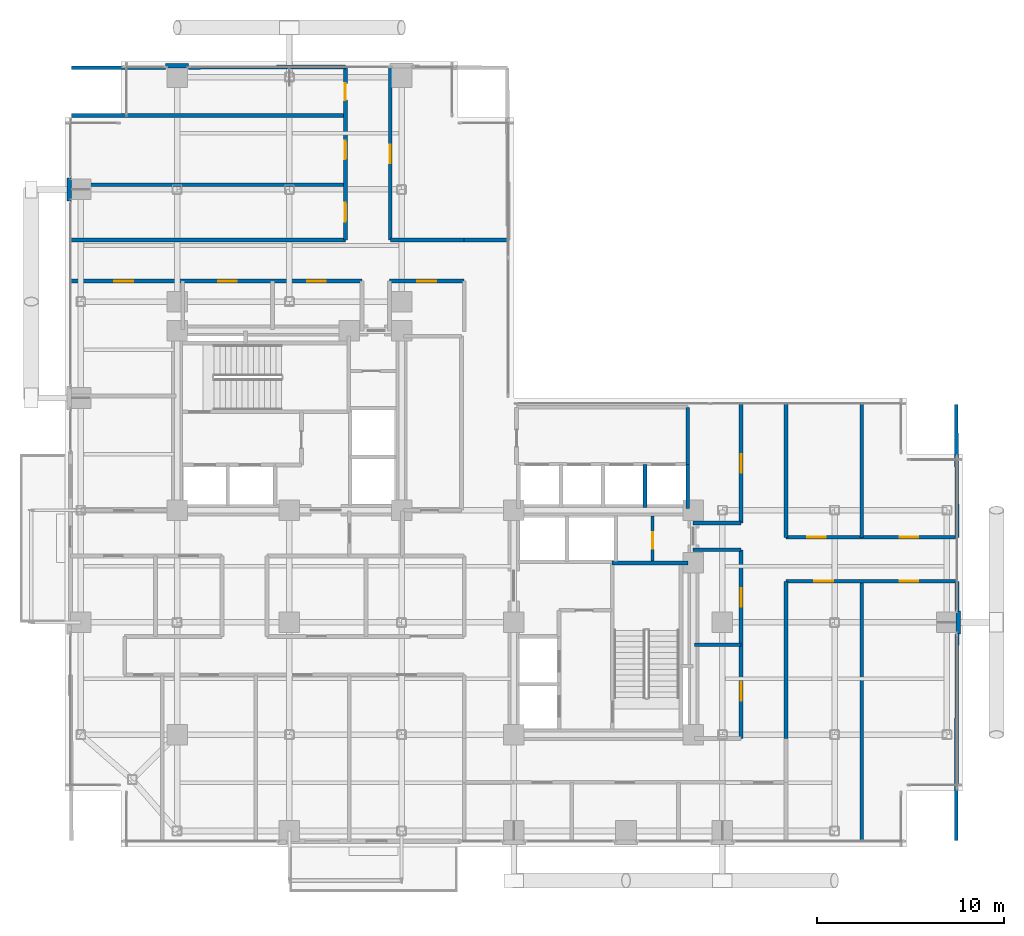
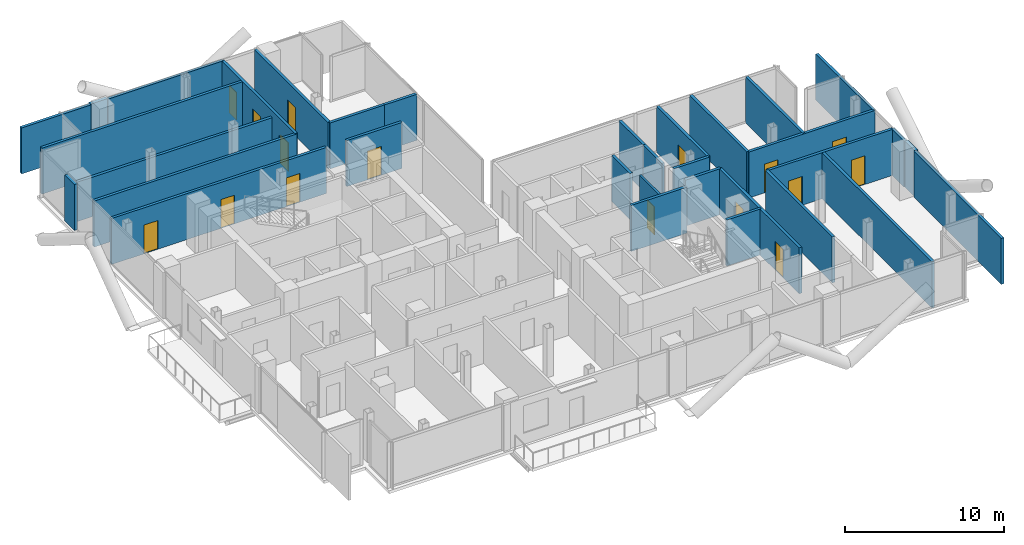
# One storey, part 21 of 24: 33 walls, 16 doors, 16 openings.
"""IFC4 building model written with IfcOpenShell, lengths in metres."""

from ifc_helpers import new_model, si_unit, direction, frame, frame_2d, origin, place, context, subcontext, project, spatial, rectangle, extrude, material, layer, layer_set, type_object, element, fill, save


model = new_model("IFC4")

# Units and contexts
model_context = context("Model", 3, precision=1e-05, world=origin(), true_north=direction((0.0, 1.0)))
body_context = subcontext(model_context, "Body", "Model", "MODEL_VIEW")
ifc_project = project(units=[si_unit("LENGTHUNIT", "METRE"), si_unit("AREAUNIT", "SQUARE_METRE"), si_unit("VOLUMEUNIT", "CUBIC_METRE"), si_unit("PLANEANGLEUNIT", "RADIAN"), si_unit("MASSUNIT", "GRAM", prefix="KILO"), si_unit("THERMODYNAMICTEMPERATUREUNIT", "KELVIN"), si_unit("POWERUNIT", "WATT")], contexts=[model_context])

# Site, building, storey
site_placement = place(None, origin())
site = spatial("IfcSite", under=ifc_project, at=site_placement, CompositionType="ELEMENT")
building_placement = place(site_placement, origin())
building = spatial("IfcBuilding", under=site, at=building_placement, Name="Svarakhadi Broadcast Tower", CompositionType="ELEMENT")
storey_placement = place(building_placement, frame((0.0, 0.0, 115.64990234375)))
storey = spatial("IfcBuildingStorey", under=building, at=storey_placement, Name="L27", CompositionType="ELEMENT", Elevation=115.64990234375)

# Walls
ifc_material_1 = material(Name="Double-Stud Acoustic Studio Partition STC-62", Category="gypsum")
ifc_layer_1 = layer(ifc_material_1, 0.199951171875)
ifc_layer_set_1 = layer_set([ifc_layer_1], Name="Double-Stud Acoustic Studio Partition STC-62")
wall_type_1 = type_object("IfcWallType", Name="Wall_Acoust_200", PredefinedType="PARTITIONING", material=ifc_layer_set_1)
wall_1_placement = place(storey_placement, frame((33.64990234375, 10.800048828125, 0.0), z_axis=(0.0, 0.0, 1.0), x_axis=(1.0, 0.0, 0.0)))
element("IfcWall", 1, at=wall_1_placement, inside=storey, type_object=wall_type_1, Name="L27 Media Playout Monitoring Office Wall", PredefinedType="PARTITIONING", context=body_context, shape_type="SweptSolid", body=[
    extrude(rectangle(XDim=2.5, YDim=0.199951171875, at=frame_2d((1.25, 0.0))), origin(), (0.0, 0.0, 1.0), 3.525146484375),
])
wall_2_placement = place(storey_placement, frame((42.60009765625, 0.300048828125, 0.0), z_axis=(0.0, 0.0, 1.0), x_axis=(0.0, 1.0, 0.0)))
element("IfcWall", 2, at=wall_2_placement, inside=storey, type_object=wall_type_1, Name="L27 Podcast Studio 1 Wall", PredefinedType="PARTITIONING", context=body_context, shape_type="SweptSolid", body=[
    extrude(rectangle(XDim=13.89990234375, YDim=0.199951171875, at=frame_2d((6.949951171875, 0.0))), origin(), (0.0, 0.0, 1.0), 3.525146484375),
])
wall_3_placement = place(storey_placement, frame((47.64990234375, 0.35009765625, 0.0), z_axis=(0.0, 0.0, 1.0), x_axis=(0.003606251025, 0.999993497456, 0.0)))
element("IfcWall", 3, at=wall_3_placement, inside=storey, type_object=wall_type_1, Name="L27 Podcast Studio 2 Wall", PredefinedType="PARTITIONING", context=body_context, shape_type="SweptSolid", body=[
    extrude(rectangle(XDim=11.034912109375, YDim=0.199951171875, at=frame_2d((5.517578125, 0.0))), origin(), (0.0, 0.0, 1.0), 3.525146484375),
])
wall_4_placement = place(storey_placement, frame((47.6943359375, 12.614990234375, 0.0), z_axis=(0.0, 0.0, 1.0), x_axis=(0.003542799701, 0.999993724265, 0.0)))
element("IfcWall", 4, at=wall_4_placement, inside=storey, type_object=wall_type_1, Name="L27 Podcast Studio 2 Wall", PredefinedType="PARTITIONING", context=body_context, shape_type="SweptSolid", body=[
    extrude(rectangle(XDim=1.5849609375, YDim=0.199951171875, at=frame_2d((0.79248046875, 0.0))), origin(), (0.0, 0.0, 1.0), 3.525146484375),
])
wall_5_placement = place(storey_placement, frame((42.60009765625, 16.550048828125, 0.0), z_axis=(0.0, 0.0, 1.0), x_axis=(0.0, 1.0, 0.0)))
element("IfcWall", 5, at=wall_5_placement, inside=storey, type_object=wall_type_1, Name="L27 Broadcast Graphics Room Wall", PredefinedType="PARTITIONING", context=body_context, shape_type="SweptSolid", body=[
    extrude(rectangle(XDim=7.14990234375, YDim=0.199951171875, at=frame_2d((3.574951171875, 0.0))), origin(), (0.0, 0.0, 1.0), 3.525146484375),
])
wall_6_placement = place(storey_placement, frame((47.699951171875, 16.550048828125, 0.0), z_axis=(0.0, 0.0, 1.0), x_axis=(-0.007049101019, 0.999975154779, 0.0)))
element("IfcWall", 6, at=wall_6_placement, inside=storey, type_object=wall_type_1, Name="L27 Graphics Workstation Office Wall", PredefinedType="PARTITIONING", context=body_context, shape_type="SweptSolid", body=[
    extrude(rectangle(XDim=7.10009765625, YDim=0.199951171875, at=frame_2d((3.550048828125, 0.0))), origin(), (0.0, 0.0, 1.0), 3.525146484375),
])
wall_7_placement = place(storey_placement, frame((0.300048828125, 35.39990234375, 0.0), z_axis=(0.0, 0.0, 1.0), x_axis=(1.0, 0.0, 0.0)))
element("IfcWall", 7, at=wall_7_placement, inside=storey, type_object=wall_type_1, Name="L27 Music Composition Studio Wall", PredefinedType="PARTITIONING", context=body_context, shape_type="SweptSolid", body=[
    extrude(rectangle(XDim=14.699951171875, YDim=0.199951171875, at=frame_2d((7.35009765625, 0.0))), origin(), (0.0, 0.0, 1.0), 3.01708984375),
])
wall_8_placement = place(storey_placement, frame((0.35009765625, 39.10009765625, 0.0), z_axis=(0.0, 0.0, 1.0), x_axis=(1.0, 0.0, 0.0)))
element("IfcWall", 8, at=wall_8_placement, inside=storey, type_object=wall_type_1, Name="L27 Sheet Music Library Office Wall", PredefinedType="PARTITIONING", context=body_context, shape_type="SweptSolid", body=[
    extrude(rectangle(XDim=14.64990234375, YDim=0.199951171875, at=frame_2d((7.324951171875, 0.0))), origin(), (0.0, 0.0, 1.0), 3.525146484375),
])
wall_9_placement = place(storey_placement, frame((0.35009765625, 41.64990234375, 0.0), z_axis=(0.0, 0.0, 1.0), x_axis=(0.999994073761, 0.003442737683, 0.0)))
element("IfcWall", 9, at=wall_9_placement, inside=storey, type_object=wall_type_1, Name="L27 Accessible Floor Toilet WC Wall", PredefinedType="PARTITIONING", context=body_context, shape_type="SweptSolid", body=[
    extrude(rectangle(XDim=5.034912109375, YDim=0.199951171875, at=frame_2d((2.517578125, 0.0))), origin(), (0.0, 0.0, 1.0), 3.525146484375),
])
wall_10_placement = place(storey_placement, frame((6.614990234375, 41.67138671875, 0.0), z_axis=(0.0, 0.0, 1.0), x_axis=(0.999994197557, 0.003406589638, 0.0)))
element("IfcWall", 10, at=wall_10_placement, inside=storey, type_object=wall_type_1, Name="L27 Accessible Floor Toilet WC Wall", PredefinedType="PARTITIONING", context=body_context, shape_type="SweptSolid", body=[
    extrude(rectangle(XDim=8.385009765625, YDim=0.199951171875, at=frame_2d((4.1923828125, 0.0))), origin(), (0.0, 0.0, 1.0), 3.525146484375),
])
ifc_material_2 = material(Name="Concrete C40/50 (IS 456 M50)", Category="concrete")
ifc_layer_2 = layer(ifc_material_2, 0.239990234375)
ifc_layer_set_2 = layer_set([ifc_layer_2], Name="Concrete C40/50 (IS 456 M50)")
wall_type_2 = type_object("IfcWallType", Name="Wall_Ext_240", PredefinedType="SOLIDWALL", material=ifc_layer_set_2)
for number, where, z_axis, x_axis, name in (
    (11, (0.239990234375, 34.534912109375, 0.0), (0.0, 0.0, 1.0), (0.0, 1.0, 0.0), "L27 Perimeter Bronze Spandrel Closure Wall 03"),
    (12, (5.385009765625, 41.760009765625, 0.0), (0.0, 0.0, 1.0), (1.0, 0.0, 0.0), "L27 Perimeter Bronze Spandrel Closure Wall 04"),
    (13, (47.760009765625, 12.614990234375, 0.0), (0.0, 0.0, 1.0), (0.0, -1.0, 0.0), "L27 Perimeter Bronze Spandrel Closure Wall 06"),
):
    element("IfcWall", number, at=place(storey_placement, frame(where, z_axis=z_axis, x_axis=x_axis)), inside=storey, type_object=wall_type_2, Name=name, PredefinedType="SOLIDWALL", context=body_context, shape_type="SweptSolid", body=[
        extrude(rectangle(XDim=1.22998046875, YDim=0.239990234375, at=frame_2d((0.614990234375, 0.0))), origin(), (0.0, 0.0, 1.0), 3.525146484375),
    ])

# Wall, opening, door
ifc_layer_3 = layer(ifc_material_2, 0.199951171875)
ifc_layer_set_3 = layer_set([ifc_layer_3], Name="Concrete C40/50 (IS 456 M50)")
wall_type_3 = type_object("IfcWallType", Name="Wall_Fire_200", PredefinedType="SOLIDWALL", material=ifc_layer_set_3)
wall_11_placement = place(storey_placement, frame((21.35009765625, 30.25, 0.0), z_axis=(0.0, 0.0, 1.0), x_axis=(-1.0, 0.0, 0.0)))
wall_11 = element("IfcWall", 14, at=wall_11_placement, inside=storey, type_object=wall_type_3, Name="L27 Zone 2/3 Corridor Wall", PredefinedType="SOLIDWALL", context=body_context, shape_type="SweptSolid", body=[
    extrude(rectangle(XDim=4.0, YDim=0.199951171875, at=frame_2d((2.0, 0.0))), origin(), (0.0, 0.0, 1.0), 3.525146484375),
])
opening_1_placement = place(wall_11_placement, frame((1.5, 0.0, 0.0)))
opening_1 = element("IfcOpeningElement", 15, at=opening_1_placement, cuts=wall_11, Name="Opening D-08", PredefinedType="OPENING", context=body_context, shape_type="SweptSolid", body=[
    extrude(rectangle(XDim=1.0, YDim=2.199951171875, at=frame_2d((0.5, 1.10009765625))), frame((0.0, 0.10986328125, 0.0), z_axis=(0.0, -1.0, 0.0), x_axis=(1.0, 0.0, 0.0)), (0.0, 0.0, 1.0), 0.219970703125),
])
ifc_material_3 = material(Name="Solid-Core Teak Veneer Acoustic Timber Leaf", Category="wood")
door_type_1 = type_object("IfcDoorType", Name="Door_Suite_D08", OperationType="SINGLE_SWING_LEFT", PredefinedType="DOOR", material=ifc_material_3)
door_1_placement = place(opening_1_placement, origin())
door_1 = element("IfcDoor", 16, at=door_1_placement, inside=storey, type_object=door_type_1, Name="L27 Media Continuity Study Door", OperationType="SINGLE_SWING_LEFT", OverallHeight=2.199951171875, OverallWidth=1.0, PredefinedType="DOOR", context=body_context, shape_type="SweptSolid", body=[
    extrude(rectangle(XDim=1.0, YDim=2.199951171875, at=frame_2d((0.5, 1.10009765625))), frame((0.0, 0.02490234375, 0.0), z_axis=(0.0, -1.0, 0.0), x_axis=(1.0, 0.0, 0.0)), (0.0, 0.0, 1.0), 0.050048828125),
])
fill(opening_1, door_1)

# Wall, openings, doors
wall_12_placement = place(storey_placement, frame((15.8798828125, 30.25, 0.0), z_axis=(0.0, 0.0, 1.0), x_axis=(-1.0, 0.0, 0.0)))
wall_12 = element("IfcWall", 17, at=wall_12_placement, inside=storey, type_object=wall_type_3, Name="L27 Zone 2/3 Corridor Wall", PredefinedType="SOLIDWALL", context=body_context, shape_type="SweptSolid", body=[
    extrude(rectangle(XDim=15.579833984375, YDim=0.199951171875, at=frame_2d((7.7900390625, 0.0))), origin(), (0.0, 0.0, 1.0), 3.525146484375),
])
opening_2_placement = place(wall_12_placement, frame((12.22998046875, 0.0, 0.0)))
opening_2 = element("IfcOpeningElement", 18, at=opening_2_placement, cuts=wall_12, Name="Opening D-08", PredefinedType="OPENING", context=body_context, shape_type="SweptSolid", body=[
    extrude(rectangle(XDim=1.0, YDim=2.199951171875, at=frame_2d((0.5, 1.10009765625))), frame((0.0, 0.10986328125, 0.0), z_axis=(0.0, -1.0, 0.0), x_axis=(1.0, 0.0, 0.0)), (0.0, 0.0, 1.0), 0.219970703125),
])
opening_3_placement = place(wall_12_placement, frame((6.679931640625, 0.0, 0.0)))
opening_3 = element("IfcOpeningElement", 19, at=opening_3_placement, cuts=wall_12, Name="Opening D-09", PredefinedType="OPENING", context=body_context, shape_type="SweptSolid", body=[
    extrude(rectangle(XDim=1.0, YDim=2.199951171875, at=frame_2d((0.5, 1.10009765625))), frame((0.0, 0.10986328125, 0.0), z_axis=(0.0, -1.0, 0.0), x_axis=(1.0, 0.0, 0.0)), (0.0, 0.0, 1.0), 0.219970703125),
])
opening_4_placement = place(wall_12_placement, frame((1.929931640625, 0.0, 0.0)))
opening_4 = element("IfcOpeningElement", 20, at=opening_4_placement, cuts=wall_12, Name="Opening D-08", PredefinedType="OPENING", context=body_context, shape_type="SweptSolid", body=[
    extrude(rectangle(XDim=1.0, YDim=2.199951171875, at=frame_2d((0.5, 1.10009765625))), frame((0.0, 0.10986328125, 0.0), z_axis=(0.0, -1.0, 0.0), x_axis=(1.0, 0.0, 0.0)), (0.0, 0.0, 1.0), 0.219970703125),
])
door_2_placement = place(opening_2_placement, origin())
door_2 = element("IfcDoor", 21, at=door_2_placement, inside=storey, type_object=door_type_1, Name="L27 Sunset Horizon Screening Room Door", OperationType="SINGLE_SWING_LEFT", OverallHeight=2.199951171875, OverallWidth=1.0, PredefinedType="DOOR", context=body_context, shape_type="SweptSolid", body=[
    extrude(rectangle(XDim=1.0, YDim=2.199951171875, at=frame_2d((0.5, 1.10009765625))), frame((0.0, 0.02490234375, 0.0), z_axis=(0.0, -1.0, 0.0), x_axis=(1.0, 0.0, 0.0)), (0.0, 0.0, 1.0), 0.050048828125),
])
fill(opening_2, door_2)
door_3_placement = place(opening_4_placement, origin())
door_3 = element("IfcDoor", 22, at=door_3_placement, inside=storey, type_object=door_type_1, Name="L27 Editorial Color Grading Pod Door", OperationType="SINGLE_SWING_LEFT", OverallHeight=2.199951171875, OverallWidth=1.0, PredefinedType="DOOR", context=body_context, shape_type="SweptSolid", body=[
    extrude(rectangle(XDim=1.0, YDim=2.199951171875, at=frame_2d((0.5, 1.10009765625))), frame((0.0, 0.02490234375, 0.0), z_axis=(0.0, -1.0, 0.0), x_axis=(1.0, 0.0, 0.0)), (0.0, 0.0, 1.0), 0.050048828125),
])
fill(opening_4, door_3)
door_type_2 = type_object("IfcDoorType", Name="Door_Suite_D09", OperationType="SINGLE_SWING_RIGHT", PredefinedType="DOOR", material=ifc_material_3)
door_4_placement = place(opening_3_placement, origin())
door_4 = element("IfcDoor", 23, at=door_4_placement, inside=storey, type_object=door_type_2, Name="L27 Acoustic Dubbing Booth Door", OperationType="SINGLE_SWING_RIGHT", OverallHeight=2.199951171875, OverallWidth=1.0, PredefinedType="DOOR", context=body_context, shape_type="SweptSolid", body=[
    extrude(rectangle(XDim=1.0, YDim=2.199951171875, at=frame_2d((0.5, 1.10009765625))), frame((0.0, 0.02490234375, 0.0), z_axis=(0.0, -1.0, 0.0), x_axis=(1.0, 0.0, 0.0)), (0.0, 0.0, 1.0), 0.050048828125),
])
fill(opening_3, door_4)

# Wall
wall_13_placement = place(storey_placement, frame((0.300048828125, 32.449951171875, 0.0), z_axis=(0.0, 0.0, 1.0), x_axis=(1.0, 0.0, 0.0)))
element("IfcWall", 24, at=wall_13_placement, inside=storey, type_object=wall_type_3, Name="L27 Zone 2/3 Corridor Wall", PredefinedType="SOLIDWALL", context=body_context, shape_type="SweptSolid", body=[
    extrude(rectangle(XDim=14.699951171875, YDim=0.199951171875, at=frame_2d((7.35009765625, 0.0))), origin(), (0.0, 0.0, 1.0), 3.525146484375),
])

# Wall, openings, doors
wall_14_placement = place(storey_placement, frame((15.0, 32.449951171875, 0.0), z_axis=(0.0, 0.0, 1.0), x_axis=(0.0, 1.0, 0.0)))
wall_14 = element("IfcWall", 25, at=wall_14_placement, inside=storey, type_object=wall_type_3, Name="L27 Zone 2/3 Corridor Wall", PredefinedType="SOLIDWALL", context=body_context, shape_type="SweptSolid", body=[
    extrude(rectangle(XDim=9.25, YDim=0.199951171875, at=frame_2d((4.625, 0.0))), origin(), (0.0, 0.0, 1.0), 3.525146484375),
])
opening_5_placement = place(wall_14_placement, frame((0.97509765625, 0.0, 0.0)))
opening_5 = element("IfcOpeningElement", 26, at=opening_5_placement, cuts=wall_14, Name="Opening D-09", PredefinedType="OPENING", context=body_context, shape_type="SweptSolid", body=[
    extrude(rectangle(XDim=1.0, YDim=2.199951171875, at=frame_2d((0.5, 1.10009765625))), frame((0.0, 0.10986328125, 0.0), z_axis=(0.0, -1.0, 0.0), x_axis=(1.0, 0.0, 0.0)), (0.0, 0.0, 1.0), 0.219970703125),
])
opening_6_placement = place(wall_14_placement, frame((4.300048828125, 0.0, 0.0)))
opening_6 = element("IfcOpeningElement", 27, at=opening_6_placement, cuts=wall_14, Name="Opening D-08", PredefinedType="OPENING", context=body_context, shape_type="SweptSolid", body=[
    extrude(rectangle(XDim=1.0, YDim=2.199951171875, at=frame_2d((0.5, 1.10009765625))), frame((0.0, 0.10986328125, 0.0), z_axis=(0.0, -1.0, 0.0), x_axis=(1.0, 0.0, 0.0)), (0.0, 0.0, 1.0), 0.219970703125),
])
opening_7_placement = place(wall_14_placement, frame((7.47509765625, 0.0, 0.0)))
opening_7 = element("IfcOpeningElement", 28, at=opening_7_placement, cuts=wall_14, Name="Opening D-13", PredefinedType="OPENING", context=body_context, shape_type="SweptSolid", body=[
    extrude(rectangle(XDim=0.89990234375, YDim=2.10009765625, at=frame_2d((0.449951171875, 1.050048828125))), frame((0.0, 0.10986328125, 0.0), z_axis=(0.0, -1.0, 0.0), x_axis=(1.0, 0.0, 0.0)), (0.0, 0.0, 1.0), 0.219970703125),
])
door_type_3 = type_object("IfcDoorType", Name="Door_Closet_D13", OperationType="SINGLE_SWING_RIGHT", PredefinedType="DOOR", material=ifc_material_3)
door_5_placement = place(opening_7_placement, origin())
door_5 = element("IfcDoor", 29, at=door_5_placement, inside=storey, type_object=door_type_3, Name="L27 Accessible Floor Toilet WC Door", OperationType="SINGLE_SWING_RIGHT", OverallHeight=2.10009765625, OverallWidth=0.89990234375, PredefinedType="DOOR", context=body_context, shape_type="SweptSolid", body=[
    extrude(rectangle(XDim=0.89990234375, YDim=2.10009765625, at=frame_2d((0.449951171875, 1.050048828125))), frame((0.0, 0.02490234375, 0.0), z_axis=(0.0, -1.0, 0.0), x_axis=(1.0, 0.0, 0.0)), (0.0, 0.0, 1.0), 0.050048828125),
])
fill(opening_7, door_5)
door_6_placement = place(opening_6_placement, origin())
door_6 = element("IfcDoor", 30, at=door_6_placement, inside=storey, type_object=door_type_1, Name="L27 Sheet Music Library Office Door", OperationType="SINGLE_SWING_LEFT", OverallHeight=2.199951171875, OverallWidth=1.0, PredefinedType="DOOR", context=body_context, shape_type="SweptSolid", body=[
    extrude(rectangle(XDim=1.0, YDim=2.199951171875, at=frame_2d((0.5, 1.10009765625))), frame((0.0, 0.02490234375, 0.0), z_axis=(0.0, -1.0, 0.0), x_axis=(1.0, 0.0, 0.0)), (0.0, 0.0, 1.0), 0.050048828125),
])
fill(opening_6, door_6)
door_7_placement = place(opening_5_placement, origin())
door_7 = element("IfcDoor", 31, at=door_7_placement, inside=storey, type_object=door_type_2, Name="L27 Music Composition Studio Door", OperationType="SINGLE_SWING_RIGHT", OverallHeight=2.199951171875, OverallWidth=1.0, PredefinedType="DOOR", context=body_context, shape_type="SweptSolid", body=[
    extrude(rectangle(XDim=1.0, YDim=2.199951171875, at=frame_2d((0.5, 1.10009765625))), frame((0.0, 0.02490234375, 0.0), z_axis=(0.0, -1.0, 0.0), x_axis=(1.0, 0.0, 0.0)), (0.0, 0.0, 1.0), 0.050048828125),
])
fill(opening_5, door_7)

# Wall, opening, door
wall_15_placement = place(storey_placement, frame((17.39990234375, 41.699951171875, 0.0), z_axis=(0.0, 0.0, 1.0), x_axis=(0.0, -1.0, 0.0)))
wall_15 = element("IfcWall", 32, at=wall_15_placement, inside=storey, type_object=wall_type_3, Name="L27 Zone 2/3 Corridor Wall", PredefinedType="SOLIDWALL", context=body_context, shape_type="SweptSolid", body=[
    extrude(rectangle(XDim=9.25, YDim=0.199951171875, at=frame_2d((4.625, 0.0))), origin(), (0.0, 0.0, 1.0), 3.525146484375),
])
opening_8_placement = place(wall_15_placement, frame((4.14990234375, 0.0, 0.0)))
opening_8 = element("IfcOpeningElement", 33, at=opening_8_placement, cuts=wall_15, Name="Opening D-08", PredefinedType="OPENING", context=body_context, shape_type="SweptSolid", body=[
    extrude(rectangle(XDim=1.0, YDim=2.199951171875, at=frame_2d((0.5, 1.10009765625))), frame((0.0, 0.10986328125, 0.0), z_axis=(0.0, -1.0, 0.0), x_axis=(1.0, 0.0, 0.0)), (0.0, 0.0, 1.0), 0.219970703125),
])
door_8_placement = place(opening_8_placement, origin())
door_8 = element("IfcDoor", 34, at=door_8_placement, inside=storey, type_object=door_type_1, Name="L27 Executive Producer Office Door", OperationType="SINGLE_SWING_LEFT", OverallHeight=2.199951171875, OverallWidth=1.0, PredefinedType="DOOR", context=body_context, shape_type="SweptSolid", body=[
    extrude(rectangle(XDim=1.0, YDim=2.199951171875, at=frame_2d((0.5, 1.10009765625))), frame((0.0, 0.02490234375, 0.0), z_axis=(0.0, -1.0, 0.0), x_axis=(1.0, 0.0, 0.0)), (0.0, 0.0, 1.0), 0.050048828125),
])
fill(opening_8, door_8)

# Walls
wall_16_placement = place(storey_placement, frame((17.39990234375, 32.449951171875, 0.0), z_axis=(0.0, 0.0, 1.0), x_axis=(1.0, 0.0, 0.0)))
element("IfcWall", 35, at=wall_16_placement, inside=storey, type_object=wall_type_3, Name="L27 Zone 2/3 Corridor Wall", PredefinedType="SOLIDWALL", context=body_context, shape_type="SweptSolid", body=[
    extrude(rectangle(XDim=3.9501953125, YDim=0.199951171875, at=frame_2d((1.97509765625, 0.0))), origin(), (0.0, 0.0, 1.0), 3.525146484375),
])
wall_17_placement = place(storey_placement, frame((21.35009765625, 32.449951171875, 0.0), z_axis=(0.0, 0.0, 1.0), x_axis=(1.0, 0.0, 0.0)))
element("IfcWall", 36, at=wall_17_placement, inside=storey, type_object=wall_type_3, Name="L27 Zone 2/3 Corridor Wall", PredefinedType="SOLIDWALL", context=body_context, shape_type="SweptSolid", body=[
    extrude(rectangle(XDim=2.349853515625, YDim=0.199951171875, at=frame_2d((1.1748046875, 0.0))), origin(), (0.0, 0.0, 1.0), 3.525146484375),
])

# Wall, openings, doors
wall_18_placement = place(storey_placement, frame((36.14990234375, 5.800048828125, 0.0), z_axis=(0.0, 0.0, 1.0), x_axis=(0.0, 1.0, 0.0)))
wall_18 = element("IfcWall", 37, at=wall_18_placement, inside=storey, type_object=wall_type_3, Name="L27 Zone 2/3 Corridor Wall", PredefinedType="SOLIDWALL", context=body_context, shape_type="SweptSolid", body=[
    extrude(rectangle(XDim=10.079833984375, YDim=0.199951171875, at=frame_2d((5.0400390625, 0.0))), origin(), (0.0, 0.0, 1.0), 3.525146484375),
])
opening_9_placement = place(wall_18_placement, frame((2.0, 0.0, 0.0)))
opening_9 = element("IfcOpeningElement", 38, at=opening_9_placement, cuts=wall_18, Name="Opening D-09", PredefinedType="OPENING", context=body_context, shape_type="SweptSolid", body=[
    extrude(rectangle(XDim=1.0, YDim=2.199951171875, at=frame_2d((0.5, 1.10009765625))), frame((0.0, 0.10986328125, 0.0), z_axis=(0.0, -1.0, 0.0), x_axis=(1.0, 0.0, 0.0)), (0.0, 0.0, 1.0), 0.219970703125),
])
opening_10_placement = place(wall_18_placement, frame((7.0400390625, 0.0, 0.0)))
opening_10 = element("IfcOpeningElement", 39, at=opening_10_placement, cuts=wall_18, Name="Opening D-09", PredefinedType="OPENING", context=body_context, shape_type="SweptSolid", body=[
    extrude(rectangle(XDim=1.0, YDim=2.199951171875, at=frame_2d((0.5, 1.10009765625))), frame((0.0, 0.10986328125, 0.0), z_axis=(0.0, -1.0, 0.0), x_axis=(1.0, 0.0, 0.0)), (0.0, 0.0, 1.0), 0.219970703125),
])
door_9_placement = place(opening_9_placement, origin())
door_9 = element("IfcDoor", 40, at=door_9_placement, inside=storey, type_object=door_type_2, Name="L27 Media Playout Monitoring Office Door", OperationType="SINGLE_SWING_RIGHT", OverallHeight=2.199951171875, OverallWidth=1.0, PredefinedType="DOOR", context=body_context, shape_type="SweptSolid", body=[
    extrude(rectangle(XDim=1.0, YDim=2.199951171875, at=frame_2d((0.5, 1.10009765625))), frame((0.0, 0.02490234375, 0.0), z_axis=(0.0, -1.0, 0.0), x_axis=(1.0, 0.0, 0.0)), (0.0, 0.0, 1.0), 0.050048828125),
])
fill(opening_9, door_9)
door_10_placement = place(opening_10_placement, origin())
door_10 = element("IfcDoor", 41, at=door_10_placement, inside=storey, type_object=door_type_2, Name="L27 Broadcast Ingest Studio Door", OperationType="SINGLE_SWING_RIGHT", OverallHeight=2.199951171875, OverallWidth=1.0, PredefinedType="DOOR", context=body_context, shape_type="SweptSolid", body=[
    extrude(rectangle(XDim=1.0, YDim=2.199951171875, at=frame_2d((0.5, 1.10009765625))), frame((0.0, 0.02490234375, 0.0), z_axis=(0.0, -1.0, 0.0), x_axis=(1.0, 0.0, 0.0)), (0.0, 0.0, 1.0), 0.050048828125),
])
fill(opening_10, door_10)

# Walls
for number, where, z_axis, x_axis, name in (
    (42, (36.14990234375, 15.8798828125, 0.0), (0.0, 0.0, 1.0), (-1.0, 0.0, 0.0), "L27 Zone 2/3 Corridor Wall"),
    (43, (33.580078125, 17.320068359375, 0.0), (0.0, 0.0, 1.0), (1.0, 0.0, 0.0), "L27 Zone 2/3 Corridor Wall"),
):
    element("IfcWall", number, at=place(storey_placement, frame(where, z_axis=z_axis, x_axis=x_axis)), inside=storey, type_object=wall_type_3, Name=name, PredefinedType="SOLIDWALL", context=body_context, shape_type="SweptSolid", body=[
        extrude(rectangle(XDim=2.56982421875, YDim=0.199951171875, at=frame_2d((1.284912109375, 0.0))), origin(), (0.0, 0.0, 1.0), 3.525146484375),
    ])

# Wall, opening, door
wall_19_placement = place(storey_placement, frame((36.14990234375, 17.320068359375, 0.0), z_axis=(0.0, 0.0, 1.0), x_axis=(0.0, 1.0, 0.0)))
wall_19 = element("IfcWall", 44, at=wall_19_placement, inside=storey, type_object=wall_type_3, Name="L27 Zone 2/3 Corridor Wall", PredefinedType="SOLIDWALL", context=body_context, shape_type="SweptSolid", body=[
    extrude(rectangle(XDim=6.3798828125, YDim=0.199951171875, at=frame_2d((3.18994140625, 0.0))), origin(), (0.0, 0.0, 1.0), 3.525146484375),
])
opening_11_placement = place(wall_19_placement, frame((2.679931640625, 0.0, 0.0)))
opening_11 = element("IfcOpeningElement", 45, at=opening_11_placement, cuts=wall_19, Name="Opening D-09", PredefinedType="OPENING", context=body_context, shape_type="SweptSolid", body=[
    extrude(rectangle(XDim=1.0, YDim=2.199951171875, at=frame_2d((0.5, 1.10009765625))), frame((0.0, 0.10986328125, 0.0), z_axis=(0.0, -1.0, 0.0), x_axis=(1.0, 0.0, 0.0)), (0.0, 0.0, 1.0), 0.219970703125),
])
door_11_placement = place(opening_11_placement, origin())
door_11 = element("IfcDoor", 46, at=door_11_placement, inside=storey, type_object=door_type_2, Name="L27 Post-Production Coordination Office Door", OperationType="SINGLE_SWING_RIGHT", OverallHeight=2.199951171875, OverallWidth=1.0, PredefinedType="DOOR", context=body_context, shape_type="SweptSolid", body=[
    extrude(rectangle(XDim=1.0, YDim=2.199951171875, at=frame_2d((0.5, 1.10009765625))), frame((0.0, 0.02490234375, 0.0), z_axis=(0.0, -1.0, 0.0), x_axis=(1.0, 0.0, 0.0)), (0.0, 0.0, 1.0), 0.050048828125),
])
fill(opening_11, door_11)

# Wall
wall_20_placement = place(storey_placement, frame((38.550048828125, 23.699951171875, 0.0), z_axis=(0.0, 0.0, 1.0), x_axis=(0.0, -1.0, 0.0)))
element("IfcWall", 47, at=wall_20_placement, inside=storey, type_object=wall_type_3, Name="L27 Zone 2/3 Corridor Wall", PredefinedType="SOLIDWALL", context=body_context, shape_type="SweptSolid", body=[
    extrude(rectangle(XDim=7.14990234375, YDim=0.199951171875, at=frame_2d((3.574951171875, 0.0))), origin(), (0.0, 0.0, 1.0), 3.525146484375),
])

# Wall, openings, doors
wall_21_placement = place(storey_placement, frame((38.550048828125, 16.550048828125, 0.0), z_axis=(0.0, 0.0, 1.0), x_axis=(1.0, 0.0, 0.0)))
wall_21 = element("IfcWall", 48, at=wall_21_placement, inside=storey, type_object=wall_type_3, Name="L27 Zone 2/3 Corridor Wall", PredefinedType="SOLIDWALL", context=body_context, shape_type="SweptSolid", body=[
    extrude(rectangle(XDim=9.14990234375, YDim=0.199951171875, at=frame_2d((4.574951171875, 0.0))), origin(), (0.0, 0.0, 1.0), 3.525146484375),
])
opening_12_placement = place(wall_21_placement, frame((1.1298828125, 0.0, 0.0)))
opening_12 = element("IfcOpeningElement", 49, at=opening_12_placement, cuts=wall_21, Name="Opening D-08", PredefinedType="OPENING", context=body_context, shape_type="SweptSolid", body=[
    extrude(rectangle(XDim=1.0, YDim=2.199951171875, at=frame_2d((0.5, 1.10009765625))), frame((0.0, 0.10986328125, 0.0), z_axis=(0.0, -1.0, 0.0), x_axis=(1.0, 0.0, 0.0)), (0.0, 0.0, 1.0), 0.219970703125),
])
opening_13_placement = place(wall_21_placement, frame((6.074951171875, 0.0, 0.0)))
opening_13 = element("IfcOpeningElement", 50, at=opening_13_placement, cuts=wall_21, Name="Opening D-09", PredefinedType="OPENING", context=body_context, shape_type="SweptSolid", body=[
    extrude(rectangle(XDim=1.0, YDim=2.199951171875, at=frame_2d((0.5, 1.10009765625))), frame((0.0, 0.10986328125, 0.0), z_axis=(0.0, -1.0, 0.0), x_axis=(1.0, 0.0, 0.0)), (0.0, 0.0, 1.0), 0.219970703125),
])
door_12_placement = place(opening_12_placement, origin())
door_12 = element("IfcDoor", 51, at=door_12_placement, inside=storey, type_object=door_type_1, Name="L27 Broadcast Graphics Room Door", OperationType="SINGLE_SWING_LEFT", OverallHeight=2.199951171875, OverallWidth=1.0, PredefinedType="DOOR", context=body_context, shape_type="SweptSolid", body=[
    extrude(rectangle(XDim=1.0, YDim=2.199951171875, at=frame_2d((0.5, 1.10009765625))), frame((0.0, 0.02490234375, 0.0), z_axis=(0.0, -1.0, 0.0), x_axis=(1.0, 0.0, 0.0)), (0.0, 0.0, 1.0), 0.050048828125),
])
fill(opening_12, door_12)
door_13_placement = place(opening_13_placement, origin())
door_13 = element("IfcDoor", 52, at=door_13_placement, inside=storey, type_object=door_type_2, Name="L27 Graphics Workstation Office Door", OperationType="SINGLE_SWING_RIGHT", OverallHeight=2.199951171875, OverallWidth=1.0, PredefinedType="DOOR", context=body_context, shape_type="SweptSolid", body=[
    extrude(rectangle(XDim=1.0, YDim=2.199951171875, at=frame_2d((0.5, 1.10009765625))), frame((0.0, 0.02490234375, 0.0), z_axis=(0.0, -1.0, 0.0), x_axis=(1.0, 0.0, 0.0)), (0.0, 0.0, 1.0), 0.050048828125),
])
fill(opening_13, door_13)

wall_22_placement = place(storey_placement, frame((47.699951171875, 14.199951171875, 0.0), z_axis=(0.0, 0.0, 1.0), x_axis=(-1.0, 0.0, 0.0)))
wall_22 = element("IfcWall", 53, at=wall_22_placement, inside=storey, type_object=wall_type_3, Name="L27 Zone 2/3 Corridor Wall", PredefinedType="SOLIDWALL", context=body_context, shape_type="SweptSolid", body=[
    extrude(rectangle(XDim=9.14990234375, YDim=0.199951171875, at=frame_2d((4.574951171875, 0.0))), origin(), (0.0, 0.0, 1.0), 3.525146484375),
])
opening_14_placement = place(wall_22_placement, frame((6.625, 0.0, 0.0)))
opening_14 = element("IfcOpeningElement", 54, at=opening_14_placement, cuts=wall_22, Name="Opening D-08", PredefinedType="OPENING", context=body_context, shape_type="SweptSolid", body=[
    extrude(rectangle(XDim=1.0, YDim=2.199951171875, at=frame_2d((0.5, 1.10009765625))), frame((0.0, 0.10986328125, 0.0), z_axis=(0.0, -1.0, 0.0), x_axis=(1.0, 0.0, 0.0)), (0.0, 0.0, 1.0), 0.219970703125),
])
opening_15_placement = place(wall_22_placement, frame((2.074951171875, 0.0, 0.0)))
opening_15 = element("IfcOpeningElement", 55, at=opening_15_placement, cuts=wall_22, Name="Opening D-09", PredefinedType="OPENING", context=body_context, shape_type="SweptSolid", body=[
    extrude(rectangle(XDim=1.0, YDim=2.199951171875, at=frame_2d((0.5, 1.10009765625))), frame((0.0, 0.10986328125, 0.0), z_axis=(0.0, -1.0, 0.0), x_axis=(1.0, 0.0, 0.0)), (0.0, 0.0, 1.0), 0.219970703125),
])
door_14_placement = place(opening_14_placement, origin())
door_14 = element("IfcDoor", 56, at=door_14_placement, inside=storey, type_object=door_type_1, Name="L27 Podcast Studio 1 Door", OperationType="SINGLE_SWING_LEFT", OverallHeight=2.199951171875, OverallWidth=1.0, PredefinedType="DOOR", context=body_context, shape_type="SweptSolid", body=[
    extrude(rectangle(XDim=1.0, YDim=2.199951171875, at=frame_2d((0.5, 1.10009765625))), frame((0.0, 0.02490234375, 0.0), z_axis=(0.0, -1.0, 0.0), x_axis=(1.0, 0.0, 0.0)), (0.0, 0.0, 1.0), 0.050048828125),
])
fill(opening_14, door_14)
door_15_placement = place(opening_15_placement, origin())
door_15 = element("IfcDoor", 57, at=door_15_placement, inside=storey, type_object=door_type_2, Name="L27 Podcast Studio 2 Door", OperationType="SINGLE_SWING_RIGHT", OverallHeight=2.199951171875, OverallWidth=1.0, PredefinedType="DOOR", context=body_context, shape_type="SweptSolid", body=[
    extrude(rectangle(XDim=1.0, YDim=2.199951171875, at=frame_2d((0.5, 1.10009765625))), frame((0.0, 0.02490234375, 0.0), z_axis=(0.0, -1.0, 0.0), x_axis=(1.0, 0.0, 0.0)), (0.0, 0.0, 1.0), 0.050048828125),
])
fill(opening_15, door_15)

# Wall
wall_23_placement = place(storey_placement, frame((38.550048828125, 14.199951171875, 0.0), z_axis=(0.0, 0.0, 1.0), x_axis=(0.0, -1.0, 0.0)))
element("IfcWall", 58, at=wall_23_placement, inside=storey, type_object=wall_type_3, Name="L27 Zone 2/3 Corridor Wall", PredefinedType="SOLIDWALL", context=body_context, shape_type="SweptSolid", body=[
    extrude(rectangle(XDim=8.39990234375, YDim=0.199951171875, at=frame_2d((4.199951171875, 0.0))), origin(), (0.0, 0.0, 1.0), 3.525146484375),
])

# Wall, opening, door
ifc_material_4 = material(Name="Autoclaved Aerated Concrete Blockwork 150 mm", Category="masonry")
ifc_layer_4 = layer(ifc_material_4, 0.14990234375)
ifc_layer_set_4 = layer_set([ifc_layer_4], Name="Autoclaved Aerated Concrete Blockwork 150 mm")
wall_type_4 = type_object("IfcWallType", Name="Wall_Part_150", PredefinedType="PARTITIONING", material=ifc_layer_set_4)
wall_24_placement = place(storey_placement, frame((31.419921875, 15.280029296875, 0.0), z_axis=(0.0, 0.0, 1.0), x_axis=(0.0, 1.0, 0.0)))
wall_24 = element("IfcWall", 59, at=wall_24_placement, inside=storey, type_object=wall_type_4, Name="L27 East Core Dual Store Wall", PredefinedType="PARTITIONING", context=body_context, shape_type="SweptSolid", body=[
    extrude(rectangle(XDim=2.419921875, YDim=0.14990234375, at=frame_2d((1.2099609375, 0.0))), origin(), (0.0, 0.0, 1.0), 3.525146484375),
])
opening_16_placement = place(wall_24_placement, frame((0.64990234375, 0.0, 0.0)))
opening_16 = element("IfcOpeningElement", 60, at=opening_16_placement, cuts=wall_24, Name="Opening D-04", PredefinedType="OPENING", context=body_context, shape_type="SweptSolid", body=[
    extrude(rectangle(XDim=0.89990234375, YDim=2.14990234375, at=frame_2d((0.449951171875, 1.074951171875))), frame((0.0, 0.0849609375, 0.0), z_axis=(0.0, -1.0, 0.0), x_axis=(1.0, 0.0, 0.0)), (0.0, 0.0, 1.0), 0.169921875),
])
ifc_material_5 = material(Name="Galvanised Powder-Coated Fire-Rated Steel Leaf", Category="steel")
door_type_4 = type_object("IfcDoorType", Name="Door_Fire_D04", OperationType="SINGLE_SWING_RIGHT", PredefinedType="DOOR", material=ifc_material_5)
door_16_placement = place(opening_16_placement, origin())
door_16 = element("IfcDoor", 61, at=door_16_placement, inside=storey, type_object=door_type_4, Name="L27 East Core Store B Door", OperationType="SINGLE_SWING_RIGHT", OverallHeight=2.14990234375, OverallWidth=0.89990234375, PredefinedType="DOOR", context=body_context, shape_type="SweptSolid", body=[
    extrude(rectangle(XDim=0.89990234375, YDim=2.14990234375, at=frame_2d((0.449951171875, 1.074951171875))), frame((0.0, 0.02490234375, 0.0), z_axis=(0.0, -1.0, 0.0), x_axis=(1.0, 0.0, 0.0)), (0.0, 0.0, 1.0), 0.050048828125),
])
fill(opening_16, door_16)

# Walls
ifc_material_6 = material(Name="Concrete C50/60 (IS 456 M60)", Category="concrete")
ifc_layer_5 = layer(ifc_material_6, 0.199951171875)
ifc_layer_set_5 = layer_set([ifc_layer_5], Name="Concrete C50/60 (IS 456 M60)")
wall_type_5 = type_object("IfcWallType", Name="Wall_Shear_200", PredefinedType="SHEAR", material=ifc_layer_set_5)
wall_25_placement = place(storey_placement, frame((29.260009765625, 15.179931640625, 0.0), z_axis=(0.0, 0.0, 1.0), x_axis=(1.0, 0.0, 0.0)))
element("IfcWall", 62, at=wall_25_placement, inside=storey, type_object=wall_type_5, Name="L27 Stair ST-02 North RC Shaft Wall", PredefinedType="SHEAR", context=body_context, shape_type="SweptSolid", body=[
    extrude(rectangle(XDim=4.0400390625, YDim=0.199951171875, at=frame_2d((2.02001953125, 0.0))), origin(), (0.0, 0.0, 1.0), 3.525146484375),
])
wall_26_placement = place(storey_placement, frame((33.300048828125, 18.10009765625, 0.0), z_axis=(0.0, 0.0, 1.0), x_axis=(0.0, 1.0, 0.0)))
element("IfcWall", 63, at=wall_26_placement, inside=storey, type_object=wall_type_5, Name="L27 Bank B East Shaft Wall", PredefinedType="SHEAR", context=body_context, shape_type="SweptSolid", body=[
    extrude(rectangle(XDim=2.349853515625, YDim=0.199951171875, at=frame_2d((1.1748046875, 0.0))), origin(), (0.0, 0.0, 1.0), 3.525146484375),
])
wall_27_placement = place(storey_placement, frame((31.02001953125, 18.14990234375, 0.0), z_axis=(0.0, 0.0, 1.0), x_axis=(0.0, 1.0, 0.0)))
element("IfcWall", 64, at=wall_27_placement, inside=storey, type_object=wall_type_5, Name="L27 Bank B Divider", PredefinedType="SHEAR", context=body_context, shape_type="SweptSolid", body=[
    extrude(rectangle(XDim=2.300048828125, YDim=0.199951171875, at=frame_2d((1.14990234375, 0.0))), origin(), (0.0, 0.0, 1.0), 3.525146484375),
])
wall_28_placement = place(storey_placement, frame((33.300048828125, 20.449951171875, 0.0), z_axis=(0.0, 0.0, 1.0), x_axis=(0.0, 1.0, 0.0)))
element("IfcWall", 65, at=wall_28_placement, inside=storey, type_object=wall_type_5, Name="L27 Bank B Lift Hall East Wall", PredefinedType="SHEAR", context=body_context, shape_type="SweptSolid", body=[
    extrude(rectangle(XDim=3.050048828125, YDim=0.199951171875, at=frame_2d((1.52490234375, 0.0))), origin(), (0.0, 0.0, 1.0), 3.525146484375),
])

save(model, "model.ifc")
